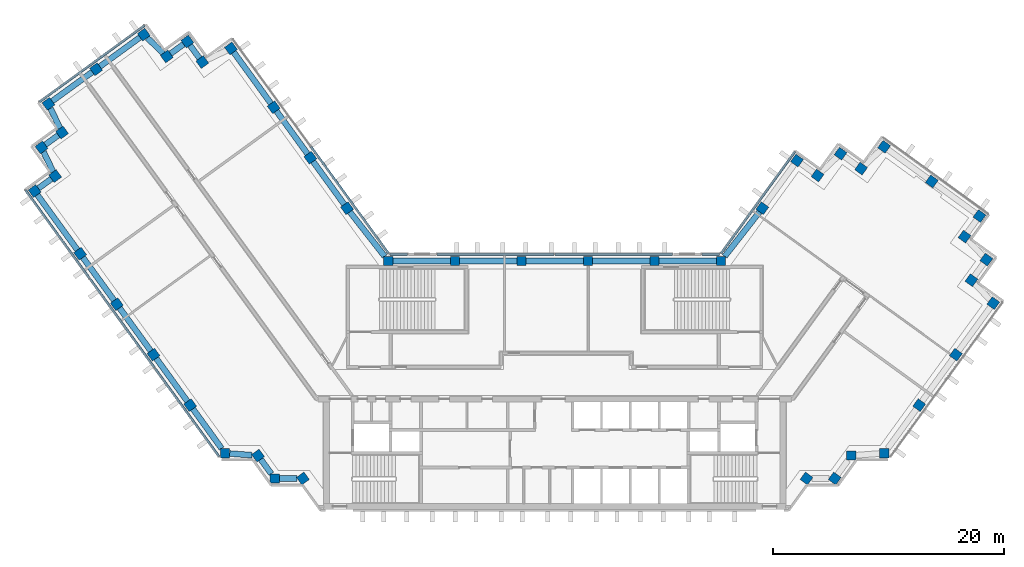
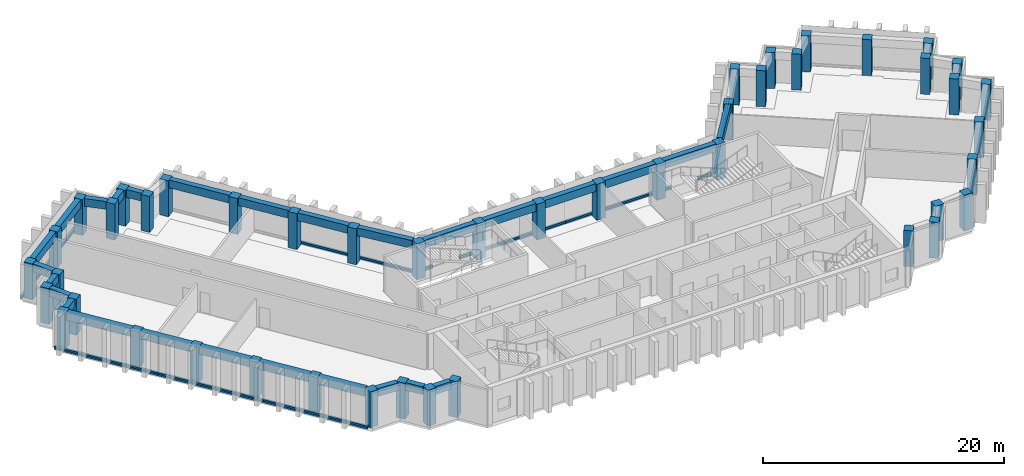
"""IFC4 building model written with IfcOpenShell, lengths in metres."""

from ifc_helpers import new_model, si_unit, direction, frame, origin, origin_2d, place, context, subcontext, project, spatial, rectangle, extrude, material, material_profile, profile_set, type_object, element, aggregate, save


model = new_model("IFC4")

# Units and contexts
model_context = context("Model", 3, precision=1e-05, world=origin(), true_north=direction((0.0, 1.0)))
body_context = subcontext(model_context, "Body", "Model", "MODEL_VIEW")
ifc_project = project(units=[si_unit("LENGTHUNIT", "METRE"), si_unit("AREAUNIT", "SQUARE_METRE"), si_unit("VOLUMEUNIT", "CUBIC_METRE"), si_unit("PLANEANGLEUNIT", "RADIAN"), si_unit("MASSUNIT", "GRAM", prefix="KILO")], contexts=[model_context])

# Site, building, storey
site_placement = place(None, origin())
site = spatial("IfcSite", under=ifc_project, at=site_placement, CompositionType="ELEMENT")
building_placement = place(site_placement, origin())
building = spatial("IfcBuilding", under=site, at=building_placement, Name="Quipu Civic Tower", CompositionType="ELEMENT")
storey_1_placement = place(building_placement, frame((0.0, 0.0, 230.0)))
storey_1 = spatial("IfcBuildingStorey", under=building, at=storey_1_placement, Name="L54", CompositionType="ELEMENT", Elevation=230.0)

# Columns
ifc_material_1 = material(Name="Concrete C50/60", Category="concrete")
ifc_material_profile_1 = material_profile(ifc_material_1, rectangle(XDim=0.800048828125, YDim=0.800048828125, at=origin_2d()), Name="RC800x800")
ifc_profile_set_1 = profile_set([ifc_material_profile_1], Name="Concrete C50/60")
column_type = type_object("IfcColumnType", Name="Perimeter column RC 800x800 C50/60", PredefinedType="COLUMN", material=ifc_profile_set_1)
for number, where, z_axis, x_axis, name in (
    (1, (-17.9736328125, 15.074951171875, 0.0), (0.0, 0.0, 1.0), (-0.587785252292, 0.809016994375, 0.0), "Column L54 W-IN-01"),
    (2, (-21.1474609375, 19.44384765625, 0.0), (0.0, 0.0, 1.0), (-0.587785252292, 0.809016994375, 0.0), "Column L54 W-IN-02"),
    (3, (-24.3212890625, 23.8125, 0.0), (0.0, 0.0, 1.0), (-0.587785252292, 0.809016994375, 0.0), "Column L54 W-IN-03"),
    (4, (-28.02001953125, 28.905029296875, 0.0), (0.0, 0.0, 1.0), (-0.809016994375, -0.587785252292, 0.0), "Column L54 T-Wi.0-W34"),
    (5, (-30.498779296875, 27.72265625, 0.0), (0.0, 0.0, 1.0), (-0.809016994375, -0.587785252292, 0.0), "Column L54 T-Wi.1-W34"),
    (6, (-31.794921875, 29.5, 0.0), (0.0, 0.0, 1.0), (-0.587785252292, 0.809016994375, 0.0), "Column L54 T-Wi.2-W34"),
    (7, (-33.573974609375, 28.20947265625, 0.0), (0.0, 0.0, 1.0), (-0.587785252292, 0.809016994375, 0.0), "Column L54 T-Wi.3-W34"),
    (8, (-35.56494140625, 30.10009765625, 0.0), (0.0, 0.0, 1.0), (-0.809016994375, -0.587785252292, 0.0), "Column L54 T-Wi.4-W34"),
    (9, (-39.690673828125, 27.10205078125, 0.0), (0.0, 0.0, 1.0), (-0.809016994375, -0.587785252292, 0.0), "Column L54 TIP-W-01-W34"),
    (10, (-43.81494140625, 24.10498046875, 0.0), (0.0, 0.0, 1.0), (-0.809016994375, -0.587785252292, 0.0), "Column L54 T-Wo.0-W34"),
    (11, (-42.635009765625, 21.626220703125, 0.0), (0.0, 0.0, 1.0), (-0.809016994375, -0.587785252292, 0.0), "Column L54 T-Wo.1-W34"),
    (12, (-44.4150390625, 20.3349609375, 0.0), (0.0, 0.0, 1.0), (0.587785252292, -0.809016994375, 0.0), "Column L54 T-Wo.2-W34"),
    (13, (-43.23095703125, 17.8544921875, 0.0), (0.0, 0.0, 1.0), (0.587785252292, -0.809016994375, 0.0), "Column L54 T-Wo.3-W34"),
    (14, (-45.010009765625, 16.56005859375, 0.0), (0.0, 0.0, 1.0), (0.587785252292, -0.809016994375, 0.0), "Column L54 T-Wo.4-W34"),
    (15, (-41.0703125, 11.137451171875, 0.0), (0.0, 0.0, 1.0), (0.587785252292, -0.809016994375, 0.0), "Column L54 W-OUT-04"),
    (16, (-37.896240234375, 6.768798828125, 0.0), (0.0, 0.0, 1.0), (0.587785252292, -0.809016994375, 0.0), "Column L54 W-OUT-03"),
    (17, (-34.722412109375, 2.39990234375, 0.0), (0.0, 0.0, 1.0), (0.587785252292, -0.809016994375, 0.0), "Column L54 W-OUT-02"),
    (18, (-31.54833984375, -1.96875, 0.0), (0.0, 0.0, 1.0), (0.587785252292, -0.809016994375, 0.0), "Column L54 W-OUT-01"),
    (19, (-28.52490234375, -6.1298828125, 0.0), (0.0, 0.0, 1.0), (1.0, 0.0, 0.0), "Column L54 J-Wo.0"),
    (20, (-25.67431640625, -6.3369140625, 0.0), (0.0, 0.0, 1.0), (0.587785252292, -0.809016994375, 0.0), "Column L54 J-Wo.1"),
    (21, (-24.235107421875, -8.31494140625, 0.0), (0.0, 0.0, 1.0), (1.0, 0.0, 0.0), "Column L54 J-Wo.2"),
    (22, (-21.791748046875, -8.31494140625, 0.0), (0.0, 0.0, 1.0), (0.587785252292, -0.809016994375, 0.0), "Column L54 J-Wo.3"),
    (23, (21.791748046875, -8.31494140625, 0.0), (0.0, 0.0, 1.0), (0.587785252292, 0.809016994375, 0.0), "Column L54 J-Eo.1"),
    (24, (24.235107421875, -8.31494140625, 0.0), (0.0, 0.0, 1.0), (0.587785252292, 0.809016994375, 0.0), "Column L54 J-Eo.2"),
    (25, (25.67431640625, -6.3369140625, 0.0), (0.0, 0.0, 1.0), (1.0, 0.0, 0.0), "Column L54 J-Eo.3"),
    (26, (28.52490234375, -6.1298828125, 0.0), (0.0, 0.0, 1.0), (1.0, 0.0, 0.0), "Column L54 J-Eo.4"),
    (27, (31.54833984375, -1.96875, 0.0), (0.0, 0.0, 1.0), (0.587785252292, 0.809016994375, 0.0), "Column L54 E-OUT-01"),
    (28, (34.722412109375, 2.39990234375, 0.0), (0.0, 0.0, 1.0), (0.587785252292, 0.809016994375, 0.0), "Column L54 E-OUT-02"),
    (29, (37.9599609375, 6.85498046875, 0.0), (0.0, 0.0, 1.0), (0.587785252292, 0.809016994375, 0.0), "Column L54 T-Eo.0-E22"),
    (30, (36.068115234375, 8.843994140625, 0.0), (0.0, 0.0, 1.0), (0.587785252292, 0.809016994375, 0.0), "Column L54 T-Eo.1-E22"),
    (31, (37.360107421875, 10.625, 0.0), (0.0, 0.0, 1.0), (0.587785252292, 0.809016994375, 0.0), "Column L54 T-Eo.2-E22"),
    (32, (35.470703125, 12.616455078125, 0.0), (0.0, 0.0, 1.0), (-0.809016994375, 0.587785252292, 0.0), "Column L54 T-Eo.3-E22"),
    (33, (36.764892578125, 14.39501953125, 0.0), (0.0, 0.0, 1.0), (-0.809016994375, 0.587785252292, 0.0), "Column L54 T-Eo.4-E22"),
    (34, (32.636962890625, 17.39306640625, 0.0), (0.0, 0.0, 1.0), (-0.809016994375, 0.587785252292, 0.0), "Column L54 TIP-E-01-E22"),
    (35, (28.510009765625, 20.389892578125, 0.0), (0.0, 0.0, 1.0), (-0.587785252292, -0.809016994375, 0.0), "Column L54 T-Ei.0-E22"),
    (36, (26.51904296875, 18.50048828125, 0.0), (0.0, 0.0, 1.0), (-0.809016994375, 0.587785252292, 0.0), "Column L54 T-Ei.1-E22"),
    (37, (24.739990234375, 19.794921875, 0.0), (0.0, 0.0, 1.0), (-0.587785252292, -0.809016994375, 0.0), "Column L54 T-Ei.2-E22"),
    (38, (22.749267578125, 17.904296875, 0.0), (0.0, 0.0, 1.0), (-0.587785252292, -0.809016994375, 0.0), "Column L54 T-Ei.3-E22"),
    (39, (20.969970703125, 19.195068359375, 0.0), (0.0, 0.0, 1.0), (-0.587785252292, -0.809016994375, 0.0), "Column L54 T-Ei.4-E22"),
    (40, (17.9736328125, 15.074951171875, 0.0), (0.0, 0.0, 1.0), (-0.587785252292, -0.809016994375, 0.0), "Column L54 E-IN-01"),
    (41, (14.395263671875, 10.5, 0.0), (0.0, 0.0, 1.0), (-1.0, 0.0, 0.0), "Column L54 J-Ei.0"),
    (42, (8.63720703125, 10.5, 0.0), (0.0, 0.0, 1.0), (-1.0, 0.0, 0.0), "Column L54 FRONT-01"),
    (43, (2.87890625, 10.5, 0.0), (0.0, 0.0, 1.0), (-1.0, 0.0, 0.0), "Column L54 FRONT-02"),
    (44, (-2.87890625, 10.5, 0.0), (0.0, 0.0, 1.0), (-1.0, 0.0, 0.0), "Column L54 FRONT-03"),
    (45, (-8.63720703125, 10.5, 0.0), (0.0, 0.0, 1.0), (-1.0, 0.0, 0.0), "Column L54 FRONT-04"),
    (46, (-14.395263671875, 10.5, 0.0), (0.0, 0.0, 1.0), (-1.0, 0.0, 0.0), "Column L54 J-Wi.0"),
):
    element("IfcColumn", number, at=place(storey_1_placement, frame(where, z_axis=z_axis, x_axis=x_axis)), inside=storey_1, type_object=column_type, Name=name, PredefinedType="COLUMN", context=body_context, shape_type="SweptSolid", body=[
        extrude(rectangle(XDim=0.800048828125, YDim=0.800048828125, at=origin_2d()), origin(), (0.0, 0.0, 1.0), 3.64990234375),
    ])

# Beams
ifc_material_2 = material(Name="Concrete C50/60", Category="concrete")
ifc_material_profile_2 = material_profile(ifc_material_2, rectangle(XDim=0.5, YDim=0.800048828125, at=origin_2d()), Name="RC500x800")
ifc_profile_set_2 = profile_set([ifc_material_profile_2], Name="Concrete C50/60")
beam_type = type_object("IfcBeamType", Name="Spandrel beam RC 500x800 C50/60", PredefinedType="SPANDREL", material=ifc_profile_set_2)
beam_1_placement = place(storey_1_placement, frame((-18.208740234375, 15.398681640625, 3.25), z_axis=(-0.58776136044, 0.809034352283, 0.0), x_axis=(-0.809034352283, -0.58776136044, 0.0)))
element("IfcBeam", 47, at=beam_1_placement, inside=storey_1, type_object=beam_type, Name="Spandrel beam L54 W-IN-01 to W-IN-02", PredefinedType="SPANDREL", context=body_context, shape_type="SweptSolid", body=[
    extrude(rectangle(XDim=0.5, YDim=0.800048828125, at=origin_2d()), origin(), (0.0, 0.0, 1.0), 4.599853515625),
])
beam_2_placement = place(storey_1_placement, frame((-21.382568359375, 19.767333984375, 3.25), z_axis=(-0.587736122681, 0.809052686848, 0.0), x_axis=(-0.809052686848, -0.587736122681, 0.0)))
element("IfcBeam", 48, at=beam_2_placement, inside=storey_1, type_object=beam_type, Name="Spandrel beam L54 W-IN-02 to W-IN-03", PredefinedType="SPANDREL", context=body_context, shape_type="SweptSolid", body=[
    extrude(rectangle(XDim=0.5, YDim=0.800048828125, at=origin_2d()), origin(), (0.0, 0.0, 1.0), 4.60009765625),
])
beam_3_placement = place(storey_1_placement, frame((-24.556396484375, 24.13623046875, 3.25), z_axis=(-0.587664254196, 0.809104890815, 0.0), x_axis=(-0.809104890815, -0.587664254196, 0.0)))
element("IfcBeam", 49, at=beam_3_placement, inside=storey_1, type_object=beam_type, Name="Spandrel beam L54 W-IN-03 to T-Wi.0-W34", PredefinedType="SPANDREL", context=body_context, shape_type="SweptSolid", body=[
    extrude(rectangle(XDim=0.5, YDim=0.800048828125, at=origin_2d()), origin(), (0.0, 0.0, 1.0), 5.493896484375),
])
beam_4_placement = place(storey_1_placement, frame((-30.734375, 28.0458984375, 3.25), z_axis=(-0.589342949835, 0.80788296645, 0.0), x_axis=(-0.80788296645, -0.589342949835, 0.0)))
element("IfcBeam", 50, at=beam_4_placement, inside=storey_1, type_object=beam_type, Name="Spandrel beam L54 T-Wi.1-W34 to T-Wi.2-W34", PredefinedType="SPANDREL", context=body_context, shape_type="SweptSolid", body=[
    extrude(rectangle(XDim=0.5, YDim=0.800048828125, at=origin_2d()), origin(), (0.0, 0.0, 1.0), 1.39990234375),
])
beam_5_placement = place(storey_1_placement, frame((-32.118896484375, 29.26513671875, 3.25), z_axis=(-0.80941533633, -0.587236590578, 0.0), x_axis=(0.587236590578, -0.80941533633, 0.0)))
element("IfcBeam", 51, at=beam_5_placement, inside=storey_1, type_object=beam_type, Name="Spandrel beam L54 T-Wi.2-W34 to T-Wi.3-W34", PredefinedType="SPANDREL", context=body_context, shape_type="SweptSolid", body=[
    extrude(rectangle(XDim=0.5, YDim=0.800048828125, at=origin_2d()), origin(), (0.0, 0.0, 1.0), 1.397705078125),
])
beam_6_placement = place(storey_1_placement, frame((-33.868896484375, 28.489501953125, 3.25), z_axis=(-0.72519185421, 0.68854685722, 0.0), x_axis=(-0.68854685722, -0.72519185421, 0.0)))
element("IfcBeam", 52, at=beam_6_placement, inside=storey_1, type_object=beam_type, Name="Spandrel beam L54 T-Wi.3-W34 to T-Wi.4-W34", PredefinedType="SPANDREL", context=body_context, shape_type="SweptSolid", body=[
    extrude(rectangle(XDim=0.5, YDim=0.800048828125, at=origin_2d()), origin(), (0.0, 0.0, 1.0), 1.93212890625),
])
beam_7_placement = place(storey_1_placement, frame((-35.888671875, 29.86474609375, 3.25), z_axis=(-0.808983997561, -0.58783066583, 0.0), x_axis=(0.58783066583, -0.808983997561, 0.0)))
element("IfcBeam", 53, at=beam_7_placement, inside=storey_1, type_object=beam_type, Name="Spandrel beam L54 T-Wi.4-W34 to TIP-W-01-W34", PredefinedType="SPANDREL", context=body_context, shape_type="SweptSolid", body=[
    extrude(rectangle(XDim=0.5, YDim=0.800048828125, at=origin_2d()), origin(), (0.0, 0.0, 1.0), 4.2998046875),
])
beam_8_placement = place(storey_1_placement, frame((-40.014404296875, 26.866943359375, 3.25), z_axis=(-0.808947267178, -0.587881211578, 0.0), x_axis=(0.587881211578, -0.808947267178, 0.0)))
element("IfcBeam", 54, at=beam_8_placement, inside=storey_1, type_object=beam_type, Name="Spandrel beam L54 TIP-W-01-W34 to T-Wo.0-W34", PredefinedType="SPANDREL", context=body_context, shape_type="SweptSolid", body=[
    extrude(rectangle(XDim=0.5, YDim=0.800048828125, at=origin_2d()), origin(), (0.0, 0.0, 1.0), 4.29833984375),
])
beam_9_placement = place(storey_1_placement, frame((-43.64013671875, 23.737548828125, 3.25), z_axis=(0.429889421342, -0.902881545618, 0.0), x_axis=(0.902881545618, 0.429889421342, 0.0)))
element("IfcBeam", 55, at=beam_9_placement, inside=storey_1, type_object=beam_type, Name="Spandrel beam L54 T-Wo.0-W34 to T-Wo.1-W34", PredefinedType="SPANDREL", context=body_context, shape_type="SweptSolid", body=[
    extrude(rectangle(XDim=0.5, YDim=0.800048828125, at=origin_2d()), origin(), (0.0, 0.0, 1.0), 1.931396484375),
])
beam_10_placement = place(storey_1_placement, frame((-42.958740234375, 21.391357421875, 3.25), z_axis=(-0.809467380413, -0.587164849125, 0.0), x_axis=(0.587164849125, -0.809467380413, 0.0)))
element("IfcBeam", 56, at=beam_10_placement, inside=storey_1, type_object=beam_type, Name="Spandrel beam L54 T-Wo.1-W34 to T-Wo.2-W34", PredefinedType="SPANDREL", context=body_context, shape_type="SweptSolid", body=[
    extrude(rectangle(XDim=0.5, YDim=0.800048828125, at=origin_2d()), origin(), (0.0, 0.0, 1.0), 1.399169921875),
])
beam_11_placement = place(storey_1_placement, frame((-44.23974609375, 19.9677734375, 3.25), z_axis=(0.430785642718, -0.902454281406, 0.0), x_axis=(0.902454281406, 0.430785642718, 0.0)))
element("IfcBeam", 57, at=beam_11_placement, inside=storey_1, type_object=beam_type, Name="Spandrel beam L54 T-Wo.2-W34 to T-Wo.3-W34", PredefinedType="SPANDREL", context=body_context, shape_type="SweptSolid", body=[
    extrude(rectangle(XDim=0.5, YDim=0.800048828125, at=origin_2d()), origin(), (0.0, 0.0, 1.0), 1.934814453125),
])
beam_12_placement = place(storey_1_placement, frame((-43.554443359375, 17.619140625, 3.25), z_axis=(-0.808600329101, -0.588358315805, 0.0), x_axis=(0.588358315805, -0.808600329101, 0.0)))
element("IfcBeam", 58, at=beam_12_placement, inside=storey_1, type_object=beam_type, Name="Spandrel beam L54 T-Wo.3-W34 to T-Wo.4-W34", PredefinedType="SPANDREL", context=body_context, shape_type="SweptSolid", body=[
    extrude(rectangle(XDim=0.5, YDim=0.800048828125, at=origin_2d()), origin(), (0.0, 0.0, 1.0), 1.400146484375),
])
beam_13_placement = place(storey_1_placement, frame((-44.77490234375, 16.236328125, 3.25), z_axis=(0.58780026889, -0.809006083965, 0.0), x_axis=(0.809006083965, 0.58780026889, 0.0)))
element("IfcBeam", 59, at=beam_13_placement, inside=storey_1, type_object=beam_type, Name="Spandrel beam L54 T-Wo.4-W34 to W-OUT-04", PredefinedType="SPANDREL", context=body_context, shape_type="SweptSolid", body=[
    extrude(rectangle(XDim=0.5, YDim=0.800048828125, at=origin_2d()), origin(), (0.0, 0.0, 1.0), 5.902587890625),
])
beam_14_placement = place(storey_1_placement, frame((-40.835205078125, 10.81396484375, 3.25), z_axis=(0.587770861189, -0.809027449928, 0.0), x_axis=(0.809027449928, 0.587770861189, 0.0)))
element("IfcBeam", 60, at=beam_14_placement, inside=storey_1, type_object=beam_type, Name="Spandrel beam L54 W-OUT-04 to W-OUT-03", PredefinedType="SPANDREL", context=body_context, shape_type="SweptSolid", body=[
    extrude(rectangle(XDim=0.5, YDim=0.800048828125, at=origin_2d()), origin(), (0.0, 0.0, 1.0), 4.60009765625),
])
beam_15_placement = place(storey_1_placement, frame((-37.6611328125, 6.445068359375, 3.25), z_axis=(0.58776136044, -0.809034352283, 0.0), x_axis=(0.809034352283, 0.58776136044, 0.0)))
element("IfcBeam", 61, at=beam_15_placement, inside=storey_1, type_object=beam_type, Name="Spandrel beam L54 W-OUT-03 to W-OUT-02", PredefinedType="SPANDREL", context=body_context, shape_type="SweptSolid", body=[
    extrude(rectangle(XDim=0.5, YDim=0.800048828125, at=origin_2d()), origin(), (0.0, 0.0, 1.0), 4.599853515625),
])
beam_16_placement = place(storey_1_placement, frame((-34.4873046875, 2.076416015625, 3.25), z_axis=(0.587796098864, -0.809009113768, 0.0), x_axis=(0.809009113768, 0.587796098864, 0.0)))
element("IfcBeam", 62, at=beam_16_placement, inside=storey_1, type_object=beam_type, Name="Spandrel beam L54 W-OUT-02 to W-OUT-01", PredefinedType="SPANDREL", context=body_context, shape_type="SweptSolid", body=[
    extrude(rectangle(XDim=0.5, YDim=0.800048828125, at=origin_2d()), origin(), (0.0, 0.0, 1.0), 4.60009765625),
])
beam_17_placement = place(storey_1_placement, frame((-31.313232421875, -2.292236328125, 3.25), z_axis=(0.58776850526, -0.809029161541, 0.0), x_axis=(0.809029161541, 0.58776850526, 0.0)))
element("IfcBeam", 63, at=beam_17_placement, inside=storey_1, type_object=beam_type, Name="Spandrel beam L54 W-OUT-01 to J-Wo.0", PredefinedType="SPANDREL", context=body_context, shape_type="SweptSolid", body=[
    extrude(rectangle(XDim=0.5, YDim=0.800048828125, at=origin_2d()), origin(), (0.0, 0.0, 1.0), 4.249267578125),
])
beam_18_placement = place(storey_1_placement, frame((-28.125, -6.158935546875, 3.25), z_axis=(0.997370796499, -0.072467194581, 0.0), x_axis=(0.072467194581, 0.997370796499, 0.0)))
element("IfcBeam", 64, at=beam_18_placement, inside=storey_1, type_object=beam_type, Name="Spandrel beam L54 J-Wo.0 to J-Wo.1", PredefinedType="SPANDREL", context=body_context, shape_type="SweptSolid", body=[
    extrude(rectangle(XDim=0.5, YDim=0.800048828125, at=origin_2d()), origin(), (0.0, 0.0, 1.0), 1.933837890625),
])
beam_19_placement = place(storey_1_placement, frame((-25.43896484375, -6.660400390625, 3.25), z_axis=(0.588330737135, -0.808620395329, 0.0), x_axis=(0.808620395329, 0.588330737135, 0.0)))
element("IfcBeam", 65, at=beam_19_placement, inside=storey_1, type_object=beam_type, Name="Spandrel beam L54 J-Wo.1 to J-Wo.2", PredefinedType="SPANDREL", context=body_context, shape_type="SweptSolid", body=[
    extrude(rectangle(XDim=0.5, YDim=0.800048828125, at=origin_2d()), origin(), (0.0, 0.0, 1.0), 1.551513671875),
])
beam_20_placement = place(storey_1_placement, frame((-23.8349609375, -8.31494140625, 3.25), z_axis=(1.0, 0.0, 0.0), x_axis=(0.0, 1.0, 0.0)))
element("IfcBeam", 66, at=beam_20_placement, inside=storey_1, type_object=beam_type, Name="Spandrel beam L54 J-Wo.2 to J-Wo.3", PredefinedType="SPANDREL", context=body_context, shape_type="SweptSolid", body=[
    extrude(rectangle(XDim=0.5, YDim=0.800048828125, at=origin_2d()), origin(), (0.0, 0.0, 1.0), 1.548828125),
])
beam_21_placement = place(storey_1_placement, frame((17.72705078125, 14.759765625, 3.25), z_axis=(-0.616090612932, -0.787675286306, 0.0), x_axis=(0.787675286306, -0.616090612932, 0.0)))
element("IfcBeam", 67, at=beam_21_placement, inside=storey_1, type_object=beam_type, Name="Spandrel beam L54 E-IN-01 to J-Ei.0", PredefinedType="SPANDREL", context=body_context, shape_type="SweptSolid", body=[
    extrude(rectangle(XDim=0.5, YDim=0.800048828125, at=origin_2d()), origin(), (0.0, 0.0, 1.0), 4.900390625),
])
for number, where, z_axis, x_axis, name in (
    (68, (13.9951171875, 10.5, 3.25), (-1.0, 0.0, 0.0), (0.0, -1.0, 0.0), "Spandrel beam L54 J-Ei.0 to FRONT-01"),
    (69, (8.237060546875, 10.5, 3.25), (-1.0, 0.0, 0.0), (0.0, -1.0, 0.0), "Spandrel beam L54 FRONT-01 to FRONT-02"),
    (70, (2.47900390625, 10.5, 3.25), (-1.0, 0.0, 0.0), (0.0, -1.0, 0.0), "Spandrel beam L54 FRONT-02 to FRONT-03"),
    (71, (-3.279052734375, 10.5, 3.25), (-1.0, 0.0, 0.0), (0.0, -1.0, 0.0), "Spandrel beam L54 FRONT-03 to FRONT-04"),
    (72, (-9.037109375, 10.5, 3.25), (-1.0, 0.0, 0.0), (0.0, -1.0, 0.0), "Spandrel beam L54 FRONT-04 to J-Wi.0"),
):
    element("IfcBeam", number, at=place(storey_1_placement, frame(where, z_axis=z_axis, x_axis=x_axis)), inside=storey_1, type_object=beam_type, Name=name, PredefinedType="SPANDREL", context=body_context, shape_type="SweptSolid", body=[
        extrude(rectangle(XDim=0.5, YDim=0.800048828125, at=origin_2d()), origin(), (0.0, 0.0, 1.0), 4.9580078125),
    ])
beam_22_placement = place(storey_1_placement, frame((-14.7080078125, 10.89990234375, 3.25), z_axis=(-0.616090612932, 0.787675286306, 0.0), x_axis=(-0.787675286306, -0.616090612932, 0.0)))
element("IfcBeam", 73, at=beam_22_placement, inside=storey_1, type_object=beam_type, Name="Spandrel beam L54 J-Wi.0 to W-IN-01", PredefinedType="SPANDREL", context=body_context, shape_type="SweptSolid", body=[
    extrude(rectangle(XDim=0.5, YDim=0.800048828125, at=origin_2d()), origin(), (0.0, 0.0, 1.0), 4.900390625),
])

# Storey
storey_2_placement = place(building_placement, frame((0.0, 0.0, 222.0)))
storey_2 = spatial("IfcBuildingStorey", under=building, at=storey_2_placement, Name="L52", CompositionType="ELEMENT", Elevation=222.0)

# Curtain wall, member
ifc_material_3 = material(Name="Insulated glass unit", Category="glass")
curtain_wall_type = type_object("IfcCurtainWallType", Name="Office curtain wall CW1", PredefinedType="NOTDEFINED", material=ifc_material_3)
curtain_wall_1_placement = place(storey_2_placement, origin())
curtain_wall_1 = element("IfcCurtainWall", 74, at=curtain_wall_1_placement, inside=storey_2, type_object=curtain_wall_type, Name="Office curtain wall CW1 L51 run 1", PredefinedType="NOTDEFINED")
ifc_material_4 = material(Name="Anodised aluminium", Category="aluminium")
ifc_material_profile_3 = material_profile(ifc_material_4, rectangle(XDim=0.199951171875, YDim=0.159912109375, at=origin_2d()), Name="RECT 200x160")
ifc_profile_set_3 = profile_set([ifc_material_profile_3], Name="Anodised aluminium")
member_type = type_object("IfcMemberType", Name="Transom CW1", PredefinedType="USERDEFINED", material=ifc_profile_set_3)
member_1_placement = place(storey_1_placement, frame((-14.39111328125, 11.164794921875, 0.0), z_axis=(-0.587799878401, 0.809006367683, 0.0), x_axis=(-0.809006367683, -0.587799878401, 0.0)))
member_1 = element("IfcMember", 75, at=member_1_placement, inside=storey_1, type_object=member_type, Name="CW1 transom 1.4", ObjectType="TRANSOM", PredefinedType="USERDEFINED", context=body_context, shape_type="SweptSolid", body=[
    extrude(rectangle(XDim=0.199951171875, YDim=0.159912109375, at=origin_2d()), origin(), (0.0, 0.0, 1.0), 11.402099609375),
])
aggregate(curtain_wall_1, [member_1])

curtain_wall_2_placement = place(storey_2_placement, origin())
curtain_wall_2 = element("IfcCurtainWall", 76, at=curtain_wall_2_placement, inside=storey_2, type_object=curtain_wall_type, Name="Office curtain wall CW1 L51 run 6", PredefinedType="NOTDEFINED")
member_2_placement = place(storey_1_placement, frame((-35.496826171875, 30.890869140625, 0.0), z_axis=(-0.809014959561, -0.587788052963, 0.0), x_axis=(0.587788052963, -0.809014959561, 0.0)))
member_2 = element("IfcMember", 77, at=member_2_placement, inside=storey_1, type_object=member_type, Name="CW1 transom 1.4", ObjectType="TRANSOM", PredefinedType="USERDEFINED", context=body_context, shape_type="SweptSolid", body=[
    extrude(rectangle(XDim=0.199951171875, YDim=0.159912109375, at=origin_2d()), origin(), (0.0, 0.0, 1.0), 11.239990234375),
])
aggregate(curtain_wall_2, [member_2])

# Curtain wall, members
curtain_wall_3_placement = place(storey_2_placement, origin())
curtain_wall_3 = element("IfcCurtainWall", 78, at=curtain_wall_3_placement, inside=storey_2, type_object=curtain_wall_type, Name="Office curtain wall CW1 L51 run 11", PredefinedType="NOTDEFINED")
member_3_placement = place(storey_1_placement, frame((-45.802490234375, 16.629638671875, 0.0), z_axis=(0.587783783239, -0.809018061703, 0.0), x_axis=(0.809018061703, 0.587783783239, 0.0)))
member_3 = element("IfcMember", 79, at=member_3_placement, inside=storey_1, type_object=member_type, Name="CW1 transom 1.4", ObjectType="TRANSOM", PredefinedType="USERDEFINED", context=body_context, shape_type="SweptSolid", body=[
    extrude(rectangle(XDim=0.199951171875, YDim=0.159912109375, at=origin_2d()), origin(), (0.0, 0.0, 1.0), 9.431884765625),
])
member_4_placement = place(storey_1_placement, frame((-40.21142578125, 8.934326171875, 0.0), z_axis=(0.587773158676, -0.809025780763, 0.0), x_axis=(0.809025780763, 0.587773158676, 0.0)))
member_4 = element("IfcMember", 80, at=member_4_placement, inside=storey_1, type_object=member_type, Name="CW1 transom 2.4", ObjectType="TRANSOM", PredefinedType="USERDEFINED", context=body_context, shape_type="SweptSolid", body=[
    extrude(rectangle(XDim=0.199951171875, YDim=0.159912109375, at=origin_2d()), origin(), (0.0, 0.0, 1.0), 9.471923828125),
])
member_5_placement = place(storey_1_placement, frame((-34.596923828125, 1.20654296875, 0.0), z_axis=(0.587783783239, -0.809018061703, 0.0), x_axis=(0.809018061703, 0.587783783239, 0.0)))
member_5 = element("IfcMember", 81, at=member_5_placement, inside=storey_1, type_object=member_type, Name="CW1 transom 3.4", ObjectType="TRANSOM", PredefinedType="USERDEFINED", context=body_context, shape_type="SweptSolid", body=[
    extrude(rectangle(XDim=0.199951171875, YDim=0.159912109375, at=origin_2d()), origin(), (0.0, 0.0, 1.0), 9.431884765625),
])
aggregate(curtain_wall_3, [member_3, member_4, member_5])

# Curtain wall, member
curtain_wall_4_placement = place(storey_2_placement, origin())
curtain_wall_4 = element("IfcCurtainWall", 82, at=curtain_wall_4_placement, inside=storey_2, type_object=curtain_wall_type, Name="Office curtain wall CW1 L51 run 26", PredefinedType="NOTDEFINED")
member_6_placement = place(storey_1_placement, frame((20.788818359375, 19.97021484375, 0.0), z_axis=(-0.587796859727, -0.809008560953, 0.0), x_axis=(0.809008560953, -0.587796859727, 0.0)))
member_6 = element("IfcMember", 83, at=member_6_placement, inside=storey_1, type_object=member_type, Name="CW1 transom 1.4", ObjectType="TRANSOM", PredefinedType="USERDEFINED", context=body_context, shape_type="SweptSolid", body=[
    extrude(rectangle(XDim=0.199951171875, YDim=0.159912109375, at=origin_2d()), origin(), (0.0, 0.0, 1.0), 10.88427734375),
])
aggregate(curtain_wall_4, [member_6])

curtain_wall_5_placement = place(storey_2_placement, origin())
curtain_wall_5 = element("IfcCurtainWall", 84, at=curtain_wall_5_placement, inside=storey_2, type_object=curtain_wall_type, Name="Office curtain wall CW1 L51 run 27", PredefinedType="NOTDEFINED")
member_7_placement = place(storey_1_placement, frame((14.26416015625, 11.10009765625, 0.0), z_axis=(-1.0, 0.0, 0.0), x_axis=(0.0, -1.0, 0.0)))
member_7 = element("IfcMember", 85, at=member_7_placement, inside=storey_1, type_object=member_type, Name="CW1 transom 1.4", ObjectType="TRANSOM", PredefinedType="USERDEFINED", context=body_context, shape_type="SweptSolid", body=[
    extrude(rectangle(XDim=0.199951171875, YDim=0.159912109375, at=origin_2d()), origin(), (0.0, 0.0, 1.0), 1.529052734375),
])
aggregate(curtain_wall_5, [member_7])

# Curtain wall, members
curtain_wall_6_placement = place(storey_2_placement, origin())
curtain_wall_6 = element("IfcCurtainWall", 86, at=curtain_wall_6_placement, inside=storey_2, type_object=curtain_wall_type, Name="Office curtain wall CW1 L51 run 29", PredefinedType="NOTDEFINED")
member_8_placement = place(storey_1_placement, frame((10.18359375, 11.10009765625, 0.0), z_axis=(-1.0, 0.0, 0.0), x_axis=(0.0, -1.0, 0.0)))
member_8 = element("IfcMember", 87, at=member_8_placement, inside=storey_1, type_object=member_type, Name="CW1 transom 1.4", ObjectType="TRANSOM", PredefinedType="USERDEFINED", context=body_context, shape_type="SweptSolid", body=[
    extrude(rectangle(XDim=0.199951171875, YDim=0.159912109375, at=origin_2d()), origin(), (0.0, 0.0, 1.0), 10.1435546875),
])
member_9_placement = place(storey_1_placement, frame((-0.0400390625, 11.10009765625, 0.0), z_axis=(-1.0, 0.0, 0.0), x_axis=(0.0, -1.0, 0.0)))
member_9 = element("IfcMember", 88, at=member_9_placement, inside=storey_1, type_object=member_type, Name="CW1 transom 2.4", ObjectType="TRANSOM", PredefinedType="USERDEFINED", context=body_context, shape_type="SweptSolid", body=[
    extrude(rectangle(XDim=0.199951171875, YDim=0.159912109375, at=origin_2d()), origin(), (0.0, 0.0, 1.0), 10.1435546875),
])
aggregate(curtain_wall_6, [member_8, member_9])

# Curtain wall, member
curtain_wall_7_placement = place(storey_2_placement, origin())
curtain_wall_7 = element("IfcCurtainWall", 89, at=curtain_wall_7_placement, inside=storey_2, type_object=curtain_wall_type, Name="Office curtain wall CW1 L51 run 31", PredefinedType="NOTDEFINED")
member_10_placement = place(storey_1_placement, frame((-12.735107421875, 11.10009765625, 0.0), z_axis=(-1.0, 0.0, 0.0), x_axis=(0.0, -1.0, 0.0)))
member_10 = element("IfcMember", 90, at=member_10_placement, inside=storey_1, type_object=member_type, Name="CW1 transom 1.4", ObjectType="TRANSOM", PredefinedType="USERDEFINED", context=body_context, shape_type="SweptSolid", body=[
    extrude(rectangle(XDim=0.199951171875, YDim=0.159912109375, at=origin_2d()), origin(), (0.0, 0.0, 1.0), 1.529052734375),
])
aggregate(curtain_wall_7, [member_10])

# Storey
storey_3_placement = place(building_placement, frame((0.0, 0.0, 234.0)))
storey_3 = spatial("IfcBuildingStorey", under=building, at=storey_3_placement, Name="L55", CompositionType="ELEMENT", Elevation=234.0)

# Curtain wall, member
curtain_wall_8_placement = place(storey_3_placement, origin())
curtain_wall_8 = element("IfcCurtainWall", 91, at=curtain_wall_8_placement, inside=storey_3, type_object=curtain_wall_type, Name="Office curtain wall CW1 L54 run 1", PredefinedType="NOTDEFINED")
member_11_placement = place(storey_1_placement, frame((-14.39111328125, 11.164794921875, 0.159912109375), z_axis=(-0.587799878401, 0.809006367683, 0.0), x_axis=(-0.809006367683, -0.587799878401, 0.0)))
member_11 = element("IfcMember", 92, at=member_11_placement, inside=storey_1, type_object=member_type, Name="CW1 transom 1.1", ObjectType="TRANSOM", PredefinedType="USERDEFINED", context=body_context, shape_type="SweptSolid", body=[
    extrude(rectangle(XDim=0.199951171875, YDim=0.159912109375, at=origin_2d()), origin(), (0.0, 0.0, 1.0), 11.402099609375),
])
aggregate(curtain_wall_8, [member_11])

curtain_wall_9_placement = place(storey_3_placement, origin())
curtain_wall_9 = element("IfcCurtainWall", 93, at=curtain_wall_9_placement, inside=storey_3, type_object=curtain_wall_type, Name="Office curtain wall CW1 L54 run 6", PredefinedType="NOTDEFINED")
member_12_placement = place(storey_1_placement, frame((-35.496826171875, 30.890869140625, 0.159912109375), z_axis=(-0.809014959561, -0.587788052963, 0.0), x_axis=(0.587788052963, -0.809014959561, 0.0)))
member_12 = element("IfcMember", 94, at=member_12_placement, inside=storey_1, type_object=member_type, Name="CW1 transom 1.1", ObjectType="TRANSOM", PredefinedType="USERDEFINED", context=body_context, shape_type="SweptSolid", body=[
    extrude(rectangle(XDim=0.199951171875, YDim=0.159912109375, at=origin_2d()), origin(), (0.0, 0.0, 1.0), 11.239990234375),
])
aggregate(curtain_wall_9, [member_12])

# Curtain wall, members
curtain_wall_10_placement = place(storey_3_placement, origin())
curtain_wall_10 = element("IfcCurtainWall", 95, at=curtain_wall_10_placement, inside=storey_3, type_object=curtain_wall_type, Name="Office curtain wall CW1 L54 run 11", PredefinedType="NOTDEFINED")
member_13_placement = place(storey_1_placement, frame((-45.802490234375, 16.629638671875, 0.159912109375), z_axis=(0.587783783239, -0.809018061703, 0.0), x_axis=(0.809018061703, 0.587783783239, 0.0)))
member_13 = element("IfcMember", 96, at=member_13_placement, inside=storey_1, type_object=member_type, Name="CW1 transom 1.1", ObjectType="TRANSOM", PredefinedType="USERDEFINED", context=body_context, shape_type="SweptSolid", body=[
    extrude(rectangle(XDim=0.199951171875, YDim=0.159912109375, at=origin_2d()), origin(), (0.0, 0.0, 1.0), 9.431884765625),
])
member_14_placement = place(storey_1_placement, frame((-40.21142578125, 8.934326171875, 0.159912109375), z_axis=(0.587773158676, -0.809025780763, 0.0), x_axis=(0.809025780763, 0.587773158676, 0.0)))
member_14 = element("IfcMember", 97, at=member_14_placement, inside=storey_1, type_object=member_type, Name="CW1 transom 2.1", ObjectType="TRANSOM", PredefinedType="USERDEFINED", context=body_context, shape_type="SweptSolid", body=[
    extrude(rectangle(XDim=0.199951171875, YDim=0.159912109375, at=origin_2d()), origin(), (0.0, 0.0, 1.0), 9.471923828125),
])
member_15_placement = place(storey_1_placement, frame((-34.596923828125, 1.20654296875, 0.159912109375), z_axis=(0.587783783239, -0.809018061703, 0.0), x_axis=(0.809018061703, 0.587783783239, 0.0)))
member_15 = element("IfcMember", 98, at=member_15_placement, inside=storey_1, type_object=member_type, Name="CW1 transom 3.1", ObjectType="TRANSOM", PredefinedType="USERDEFINED", context=body_context, shape_type="SweptSolid", body=[
    extrude(rectangle(XDim=0.199951171875, YDim=0.159912109375, at=origin_2d()), origin(), (0.0, 0.0, 1.0), 9.431884765625),
])
aggregate(curtain_wall_10, [member_13, member_14, member_15])

# Curtain wall, member
curtain_wall_11_placement = place(storey_3_placement, origin())
curtain_wall_11 = element("IfcCurtainWall", 99, at=curtain_wall_11_placement, inside=storey_3, type_object=curtain_wall_type, Name="Office curtain wall CW1 L54 run 26", PredefinedType="NOTDEFINED")
member_16_placement = place(storey_1_placement, frame((20.788818359375, 19.97021484375, 0.159912109375), z_axis=(-0.587796859727, -0.809008560953, 0.0), x_axis=(0.809008560953, -0.587796859727, 0.0)))
member_16 = element("IfcMember", 100, at=member_16_placement, inside=storey_1, type_object=member_type, Name="CW1 transom 1.1", ObjectType="TRANSOM", PredefinedType="USERDEFINED", context=body_context, shape_type="SweptSolid", body=[
    extrude(rectangle(XDim=0.199951171875, YDim=0.159912109375, at=origin_2d()), origin(), (0.0, 0.0, 1.0), 10.88427734375),
])
aggregate(curtain_wall_11, [member_16])

curtain_wall_12_placement = place(storey_3_placement, origin())
curtain_wall_12 = element("IfcCurtainWall", 101, at=curtain_wall_12_placement, inside=storey_3, type_object=curtain_wall_type, Name="Office curtain wall CW1 L54 run 27", PredefinedType="NOTDEFINED")
member_17_placement = place(storey_1_placement, frame((14.26416015625, 11.10009765625, 0.159912109375), z_axis=(-1.0, 0.0, 0.0), x_axis=(0.0, -1.0, 0.0)))
member_17 = element("IfcMember", 102, at=member_17_placement, inside=storey_1, type_object=member_type, Name="CW1 transom 1.1", ObjectType="TRANSOM", PredefinedType="USERDEFINED", context=body_context, shape_type="SweptSolid", body=[
    extrude(rectangle(XDim=0.199951171875, YDim=0.159912109375, at=origin_2d()), origin(), (0.0, 0.0, 1.0), 1.529052734375),
])
aggregate(curtain_wall_12, [member_17])

# Curtain wall, members
curtain_wall_13_placement = place(storey_3_placement, origin())
curtain_wall_13 = element("IfcCurtainWall", 103, at=curtain_wall_13_placement, inside=storey_3, type_object=curtain_wall_type, Name="Office curtain wall CW1 L54 run 29", PredefinedType="NOTDEFINED")
member_18_placement = place(storey_1_placement, frame((10.18359375, 11.10009765625, 0.159912109375), z_axis=(-1.0, 0.0, 0.0), x_axis=(0.0, -1.0, 0.0)))
member_18 = element("IfcMember", 104, at=member_18_placement, inside=storey_1, type_object=member_type, Name="CW1 transom 1.1", ObjectType="TRANSOM", PredefinedType="USERDEFINED", context=body_context, shape_type="SweptSolid", body=[
    extrude(rectangle(XDim=0.199951171875, YDim=0.159912109375, at=origin_2d()), origin(), (0.0, 0.0, 1.0), 10.1435546875),
])
member_19_placement = place(storey_1_placement, frame((-0.0400390625, 11.10009765625, 0.159912109375), z_axis=(-1.0, 0.0, 0.0), x_axis=(0.0, -1.0, 0.0)))
member_19 = element("IfcMember", 105, at=member_19_placement, inside=storey_1, type_object=member_type, Name="CW1 transom 2.1", ObjectType="TRANSOM", PredefinedType="USERDEFINED", context=body_context, shape_type="SweptSolid", body=[
    extrude(rectangle(XDim=0.199951171875, YDim=0.159912109375, at=origin_2d()), origin(), (0.0, 0.0, 1.0), 10.1435546875),
])
aggregate(curtain_wall_13, [member_18, member_19])

# Curtain wall, member
curtain_wall_14_placement = place(storey_3_placement, origin())
curtain_wall_14 = element("IfcCurtainWall", 106, at=curtain_wall_14_placement, inside=storey_3, type_object=curtain_wall_type, Name="Office curtain wall CW1 L54 run 31", PredefinedType="NOTDEFINED")
member_20_placement = place(storey_1_placement, frame((-12.735107421875, 11.10009765625, 0.159912109375), z_axis=(-1.0, 0.0, 0.0), x_axis=(0.0, -1.0, 0.0)))
member_20 = element("IfcMember", 107, at=member_20_placement, inside=storey_1, type_object=member_type, Name="CW1 transom 1.1", ObjectType="TRANSOM", PredefinedType="USERDEFINED", context=body_context, shape_type="SweptSolid", body=[
    extrude(rectangle(XDim=0.199951171875, YDim=0.159912109375, at=origin_2d()), origin(), (0.0, 0.0, 1.0), 1.529052734375),
])
aggregate(curtain_wall_14, [member_20])

save(model, "model.ifc")
